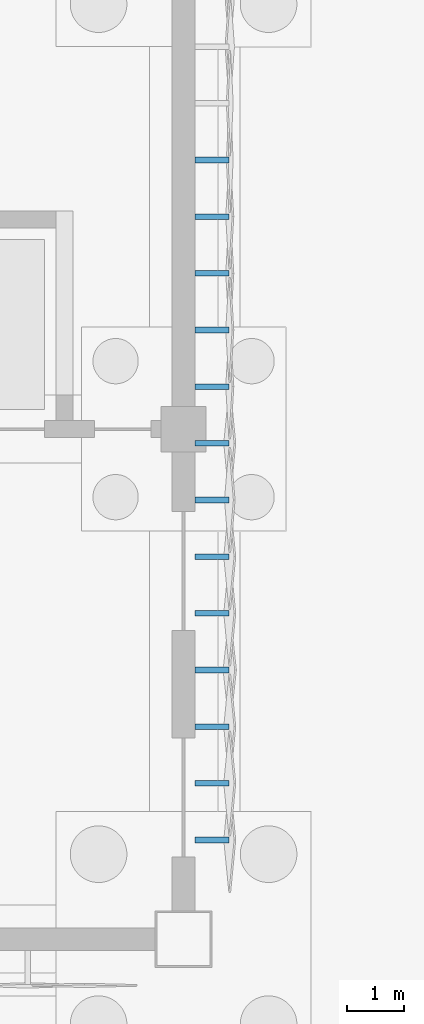
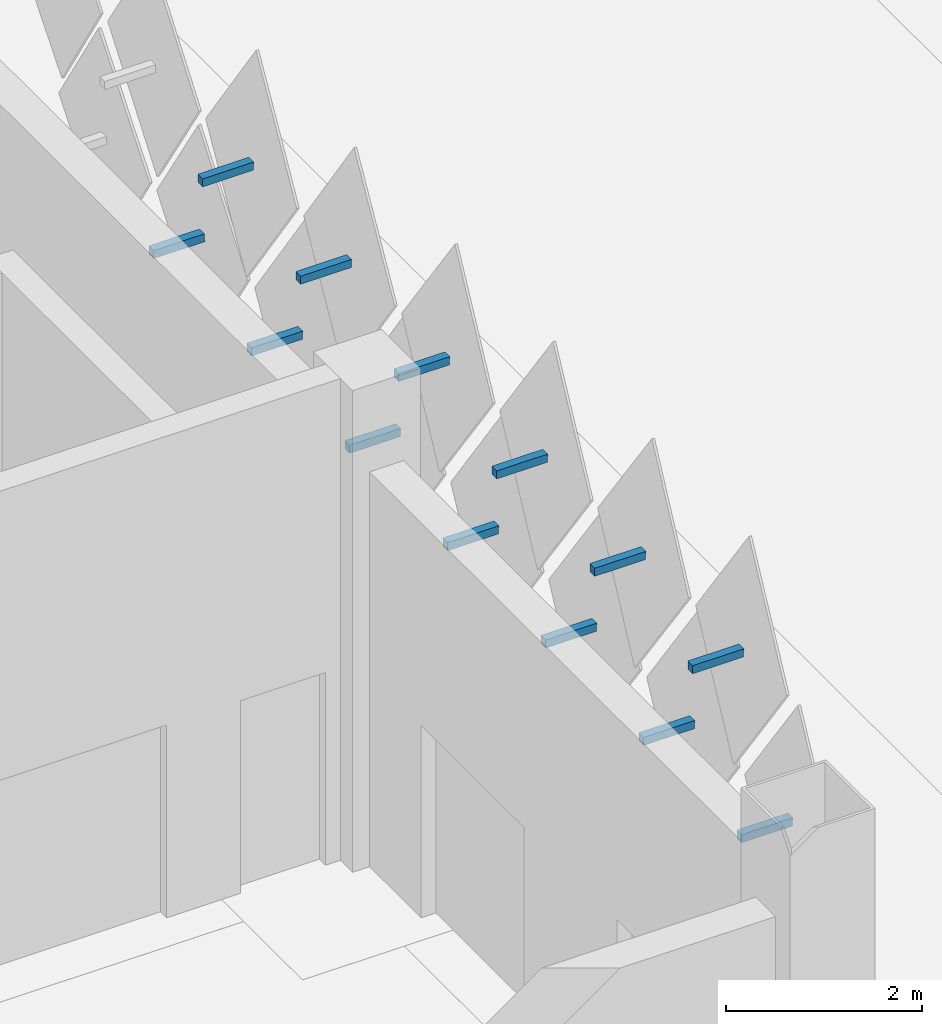
# One storey, part 124 of 198: 13 discrete accessories.
"""IFC4 building model written with IfcOpenShell, lengths in metres."""

import ifcopenshell
import ifcopenshell.guid

model = None  # the IFC model being written
_history = None  # IfcOwnerHistory: only IFC2X3 demands one
_inside = {}  # id of a spatial element -> (the spatial element, [elements in it])
_under = {}  # id of a project, library or spatial element -> (it, [spatial elements below it])
_declared = {}  # id of a project -> (the project, [libraries it declares])
_typed = {}  # id of a type object -> (the type object, [elements of that type])
_made_of = {}  # id of a material, layer set ... -> (it, [elements and type objects made of it])


def new_model(schema):
    """Start an empty IFC model of exactly this schema.

    Asked for "IFC4X3", IfcOpenShell would pick the latest addendum, in which some entities
    have other attributes; the version numbers below select the first issue.
    IFC2X3 requires an IfcOwnerHistory on every rooted entity: one is made here for all.
    """
    global model, _history
    if schema == "IFC4X3":
        model = ifcopenshell.file(schema_version=(4, 3, 0, 0))
    else:
        model = ifcopenshell.file(schema=schema)
    _inside.clear()
    _under.clear()
    _declared.clear()
    _typed.clear()
    _made_of.clear()
    _history = None
    if model.schema == "IFC2X3":
        org = make("IfcOrganization", Name="unknown")
        user = make(
            "IfcPersonAndOrganization",
            ThePerson=make("IfcPerson", FamilyName="unknown"),
            TheOrganization=org,
        )
        app = make(
            "IfcApplication",
            ApplicationDeveloper=org,
            Version="unknown",
            ApplicationFullName="unknown",
            ApplicationIdentifier="unknown",
        )
        _history = make(
            "IfcOwnerHistory",
            OwningUser=user,
            OwningApplication=app,
            ChangeAction="ADDED",
            CreationDate=0,
        )
    return model


def make(cls, **values):
    """One entity of the class cls with the attributes given. An attribute that is None is left unset."""
    return model.create_entity(
        cls, **{name: value for name, value in values.items() if value is not None}
    )


def rooted(cls, **values):
    """An entity with a GlobalId (a new one), such as an element, a storey or a relation."""
    return make(cls, GlobalId=ifcopenshell.guid.new(), OwnerHistory=_history, **values)


def si_unit(unit_type, name, prefix=None):
    """IfcSIUnit, for example si_unit("LENGTHUNIT", "METRE", prefix="MILLI")."""
    return make("IfcSIUnit", UnitType=unit_type, Prefix=prefix, Name=name)


def assignment(units):
    """IfcUnitAssignment: the units of a project."""
    return None if units is None else make("IfcUnitAssignment", Units=units)


def point(xyz):
    """IfcCartesianPoint."""
    return None if xyz is None else make("IfcCartesianPoint", Coordinates=xyz)


def direction(xyz):
    """IfcDirection."""
    return None if xyz is None else make("IfcDirection", DirectionRatios=xyz)


def frame(location, z_axis=None, x_axis=None):
    """IfcAxis2Placement3D, a coordinate frame: its origin and axes. An axis left out is left unset."""
    return make(
        "IfcAxis2Placement3D",
        Location=point(location),
        Axis=direction(z_axis),
        RefDirection=direction(x_axis),
    )


def origin():
    """The frame at (0, 0, 0) with its axes left unset."""
    return frame((0.0, 0.0, 0.0))


def place(relative_to, where):
    """IfcLocalPlacement: puts the frame where relative to a parent placement (None: the world)."""
    return make(
        "IfcLocalPlacement", PlacementRelTo=relative_to, RelativePlacement=where
    )


def context(
    kind, dimensions, precision=None, world=None, true_north=None, identifier=None
):
    """IfcGeometricRepresentationContext, for example the 3D "Model" context."""
    return make(
        "IfcGeometricRepresentationContext",
        ContextIdentifier=identifier,
        ContextType=kind,
        CoordinateSpaceDimension=dimensions,
        Precision=precision,
        WorldCoordinateSystem=world,
        TrueNorth=true_north,
    )


def subcontext(parent, identifier, kind, view, scale=None):
    """IfcGeometricRepresentationSubContext, for example "Body" below "Model"."""
    return make(
        "IfcGeometricRepresentationSubContext",
        ContextIdentifier=identifier,
        ContextType=kind,
        ParentContext=parent,
        TargetScale=scale,
        TargetView=view,
    )


def project(units=None, contexts=None):
    """IfcProject with its units and contexts."""
    return rooted(
        "IfcProject",
        Name="project",
        RepresentationContexts=contexts,
        UnitsInContext=assignment(units),
    )


def spatial(cls, under=None, at=None, **own):
    """A site, building, storey or space (cls), placed at a placement, below another one or the project."""
    s = rooted(cls, ObjectPlacement=at, **own)
    if under is not None:
        _under.setdefault(under.id(), (under, []))[1].append(s)
    return s


def polyline(points):
    """IfcPolyline through the points."""
    return make("IfcPolyline", Points=[point(p) for p in points])


def outline(outer, holes=None, kind="AREA"):
    """IfcArbitraryClosedProfileDef: a profile drawn as a closed curve; with holes, ...WithVoids."""
    if holes is None:
        return make("IfcArbitraryClosedProfileDef", ProfileType=kind, OuterCurve=outer)
    return make(
        "IfcArbitraryProfileDefWithVoids",
        ProfileType=kind,
        OuterCurve=outer,
        InnerCurves=holes,
    )


def extrude(swept, where, along, depth):
    """IfcExtrudedAreaSolid: the profile swept, set in the frame where, extruded along a direction by depth."""
    return make(
        "IfcExtrudedAreaSolid",
        SweptArea=swept,
        Position=where,
        ExtrudedDirection=direction(along),
        Depth=depth,
    )


def shape(context_of_items, identifier, shape_type, items):
    """IfcShapeRepresentation: the items that make up one representation, for example the "Body"."""
    return make(
        "IfcShapeRepresentation",
        ContextOfItems=context_of_items,
        RepresentationIdentifier=identifier,
        RepresentationType=shape_type,
        Items=items,
    )


def material(Name=None, Category=None):
    """IfcMaterial."""
    return make("IfcMaterial", Name=Name, Category=Category)


def made_of(thing, what):
    """Note that an element or type object is made of a material, layer set ...; save() writes the relation."""
    if what is not None:
        _made_of.setdefault(what.id(), (what, []))[1].append(thing)
    return thing


def type_object(cls, material=None, **own):
    """A type object (cls), such as IfcWallType, which elements share."""
    return made_of(rooted(cls, **own), material)


def element(
    cls,
    number,
    at=None,
    inside=None,
    cuts=None,
    type_object=None,
    material=None,
    context=None,
    identifier="Body",
    shape_type=None,
    held_by="IfcProductDefinitionShape",
    body=None,
    shapes=None,
    **own,
):
    """One element of the class cls, such as IfcWall. Its Tag is "e" and its number.

    at: its placement. inside: the storey or other place that contains it. cuts: it is an
    opening in that element (IfcRelVoidsElement). A single representation is given by context,
    identifier, shape_type and body (its items); several are given by shapes. held_by: the class
    of the entity that holds the representations. save() writes the other relations.
    """
    e = rooted(cls, Tag="e%d" % number, ObjectPlacement=at, **own)
    if body is not None:
        shapes = [shape(context, identifier, shape_type, body)]
    if shapes is not None:
        e.Representation = make(held_by, Representations=shapes)
    if inside is not None:
        _inside.setdefault(inside.id(), (inside, []))[1].append(e)
    if cuts is not None:
        rooted(
            "IfcRelVoidsElement", RelatingBuildingElement=cuts, RelatedOpeningElement=e
        )
    if type_object is not None:
        _typed.setdefault(type_object.id(), (type_object, []))[1].append(e)
    return made_of(e, material)


def aggregate(whole, parts):
    """IfcRelAggregates: a whole, such as a stair, and the parts it consists of."""
    return rooted("IfcRelAggregates", RelatingObject=whole, RelatedObjects=parts)


def save(model, path):
    """Write the relations noted so far, then the file.

    IfcRelAggregates (storeys below a building ...), IfcRelContainedInSpatialStructure (elements
    in a storey), IfcRelDefinesByType, IfcRelAssociatesMaterial and IfcRelDeclares: one each for
    every whole, place, type object, material and project.
    """
    for whole, parts in _under.values():
        aggregate(whole, parts)
    for where, things in _inside.values():
        rooted(
            "IfcRelContainedInSpatialStructure",
            RelatedElements=things,
            RelatingStructure=where,
        )
    for kind, things in _typed.values():
        rooted("IfcRelDefinesByType", RelatedObjects=things, RelatingType=kind)
    for what, things in _made_of.values():
        rooted("IfcRelAssociatesMaterial", RelatedObjects=things, RelatingMaterial=what)
    for by, libraries in _declared.values():
        rooted("IfcRelDeclares", RelatingContext=by, RelatedDefinitions=libraries)
    model.write(path)


model = new_model("IFC4")

# Units and contexts
model_context = context("Model", 3, precision=1e-05, world=origin(), true_north=direction((0.0, 1.0)))
body_context = subcontext(model_context, "Body", "Model", "MODEL_VIEW")
ifc_project = project(units=[si_unit("LENGTHUNIT", "METRE"), si_unit("AREAUNIT", "SQUARE_METRE"), si_unit("VOLUMEUNIT", "CUBIC_METRE"), si_unit("PLANEANGLEUNIT", "RADIAN"), si_unit("MASSUNIT", "GRAM", prefix="KILO")], contexts=[model_context])

# Site, building, storey
site_placement = place(None, origin())
site = spatial("IfcSite", under=ifc_project, at=site_placement, CompositionType="ELEMENT")
building_placement = place(site_placement, origin())
building = spatial("IfcBuilding", under=site, at=building_placement, Name="Opaline Strait Convention Centre", CompositionType="ELEMENT")
storey_placement = place(building_placement, origin())
storey = spatial("IfcBuildingStorey", under=building, at=storey_placement, Name="L00", CompositionType="ELEMENT", Elevation=0.0)

# Discrete accessories
ifc_material = material(Name="Steel Q355B", Category="steel")
discrete_accessory_type = type_object("IfcDiscreteAccessoryType", Name="Tile bracket 100x100 steel", PredefinedType="BRACKET", material=ifc_material)
for number, where, z_axis, x_axis, name in (
    (1, (261.199951171875, 55.699951171875, 4.39208984375), (0.0, 1.0, 0.0), (-1.0, 0.0, 0.0), "Tile bracket XT07 E"),
    (2, (261.199951171875, 57.699951171875, 4.39208984375), (0.0, 1.0, 0.0), (-1.0, 0.0, 0.0), "Tile bracket XT07 E"),
    (3, (261.199951171875, 59.699951171875, 4.39208984375), (0.0, 1.0, 0.0), (-1.0, 0.0, 0.0), "Tile bracket XT07 E"),
):
    element("IfcDiscreteAccessory", number, at=place(storey_placement, frame(where, z_axis=z_axis, x_axis=x_axis)), inside=storey, type_object=discrete_accessory_type, Name=name, PredefinedType="BRACKET", context=body_context, shape_type="SweptSolid", body=[
        extrude(outline(polyline([(0.0, -0.050048828125), (0.0, 0.050048828125), (-0.60302734375, 0.050048828125), (-0.596923828125, -0.050048828125), (0.0, -0.050048828125)])), origin(), (0.0, 0.0, 1.0), 0.10009765625),
    ])
discrete_accessory_1_placement = place(storey_placement, frame((261.199951171875, 61.699951171875, 4.39208984375), z_axis=(0.0, 1.0, 0.0), x_axis=(-1.0, 0.0, 0.0)))
element("IfcDiscreteAccessory", 4, at=discrete_accessory_1_placement, inside=storey, type_object=discrete_accessory_type, Name="Tile bracket XT06 E", PredefinedType="BRACKET", context=body_context, shape_type="SweptSolid", body=[
    extrude(outline(polyline([(0.0, -0.050048828125), (0.0, 0.050048828125), (-0.6025390625, 0.050048828125), (-0.597412109375, -0.050048828125), (0.0, -0.050048828125)])), origin(), (0.0, 0.0, 1.0), 0.10009765625),
])
for number, where, z_axis, x_axis, name in (
    (5, (261.199951171875, 63.699951171875, 4.39208984375), (0.0, 1.0, 0.0), (-1.0, 0.0, 0.0), "Tile bracket XT04 E"),
    (6, (261.199951171875, 65.699951171875, 4.39208984375), (0.0, 1.0, 0.0), (-1.0, 0.0, 0.0), "Tile bracket XT04 E"),
):
    element("IfcDiscreteAccessory", number, at=place(storey_placement, frame(where, z_axis=z_axis, x_axis=x_axis)), inside=storey, type_object=discrete_accessory_type, Name=name, PredefinedType="BRACKET", context=body_context, shape_type="SweptSolid", body=[
        extrude(outline(polyline([(0.0, -0.050048828125), (0.0, 0.050048828125), (-0.601806640625, 0.050048828125), (-0.59814453125, -0.050048828125), (0.0, -0.050048828125)])), origin(), (0.0, 0.0, 1.0), 0.10009765625),
    ])
discrete_accessory_2_placement = place(storey_placement, frame((261.199951171875, 67.699951171875, 4.39208984375), z_axis=(0.0, 1.0, 0.0), x_axis=(-1.0, 0.0, 0.0)))
element("IfcDiscreteAccessory", 7, at=discrete_accessory_2_placement, inside=storey, type_object=discrete_accessory_type, Name="Tile bracket XT04 E", PredefinedType="BRACKET", context=body_context, shape_type="SweptSolid", body=[
    extrude(outline(polyline([(0.0, -0.050048828125), (0.0, 0.050048828125), (-0.59814453125, 0.050048828125), (-0.601806640625, -0.050048828125), (0.0, -0.050048828125)])), origin(), (0.0, 0.0, 1.0), 0.10009765625),
])
discrete_accessory_3_placement = place(storey_placement, frame((261.199951171875, 56.699951171875, 5.89208984375), z_axis=(0.0, 1.0, 0.0), x_axis=(-1.0, 0.0, 0.0)))
element("IfcDiscreteAccessory", 8, at=discrete_accessory_3_placement, inside=storey, type_object=discrete_accessory_type, Name="Tile bracket XT07 E", PredefinedType="BRACKET", context=body_context, shape_type="SweptSolid", body=[
    extrude(outline(polyline([(0.0, -0.050048828125), (0.0, 0.050048828125), (-0.60302734375, 0.050048828125), (-0.596923828125, -0.050048828125), (0.0, -0.050048828125)])), origin(), (0.0, 0.0, 1.0), 0.10009765625),
])
discrete_accessory_4_placement = place(storey_placement, frame((261.199951171875, 58.699951171875, 5.89208984375), z_axis=(0.0, 1.0, 0.0), x_axis=(-1.0, 0.0, 0.0)))
element("IfcDiscreteAccessory", 9, at=discrete_accessory_4_placement, inside=storey, type_object=discrete_accessory_type, Name="Tile bracket XT08 E", PredefinedType="BRACKET", context=body_context, shape_type="SweptSolid", body=[
    extrude(outline(polyline([(0.0, -0.050048828125), (0.0, 0.050048828125), (-0.603515625, 0.050048828125), (-0.596435546875, -0.050048828125), (0.0, -0.050048828125)])), origin(), (0.0, 0.0, 1.0), 0.10009765625),
])
for number, where, z_axis, x_axis, name in (
    (10, (261.199951171875, 60.699951171875, 5.89208984375), (0.0, 1.0, 0.0), (-1.0, 0.0, 0.0), "Tile bracket XT07 E"),
    (11, (261.199951171875, 62.699951171875, 5.89208984375), (0.0, 1.0, 0.0), (-1.0, 0.0, 0.0), "Tile bracket XT07 E"),
):
    element("IfcDiscreteAccessory", number, at=place(storey_placement, frame(where, z_axis=z_axis, x_axis=x_axis)), inside=storey, type_object=discrete_accessory_type, Name=name, PredefinedType="BRACKET", context=body_context, shape_type="SweptSolid", body=[
        extrude(outline(polyline([(0.0, -0.050048828125), (0.0, 0.050048828125), (-0.60302734375, 0.050048828125), (-0.596923828125, -0.050048828125), (0.0, -0.050048828125)])), origin(), (0.0, 0.0, 1.0), 0.10009765625),
    ])
for number, where, z_axis, x_axis, name in (
    (12, (261.199951171875, 64.699951171875, 5.89208984375), (0.0, 1.0, 0.0), (-1.0, 0.0, 0.0), "Tile bracket XT04 E"),
    (13, (261.199951171875, 66.699951171875, 5.89208984375), (0.0, 1.0, 0.0), (-1.0, 0.0, 0.0), "Tile bracket XT04 E"),
):
    element("IfcDiscreteAccessory", number, at=place(storey_placement, frame(where, z_axis=z_axis, x_axis=x_axis)), inside=storey, type_object=discrete_accessory_type, Name=name, PredefinedType="BRACKET", context=body_context, shape_type="SweptSolid", body=[
        extrude(outline(polyline([(0.0, -0.050048828125), (0.0, 0.050048828125), (-0.601806640625, 0.050048828125), (-0.59814453125, -0.050048828125), (0.0, -0.050048828125)])), origin(), (0.0, 0.0, 1.0), 0.10009765625),
    ])

save(model, "model.ifc")
